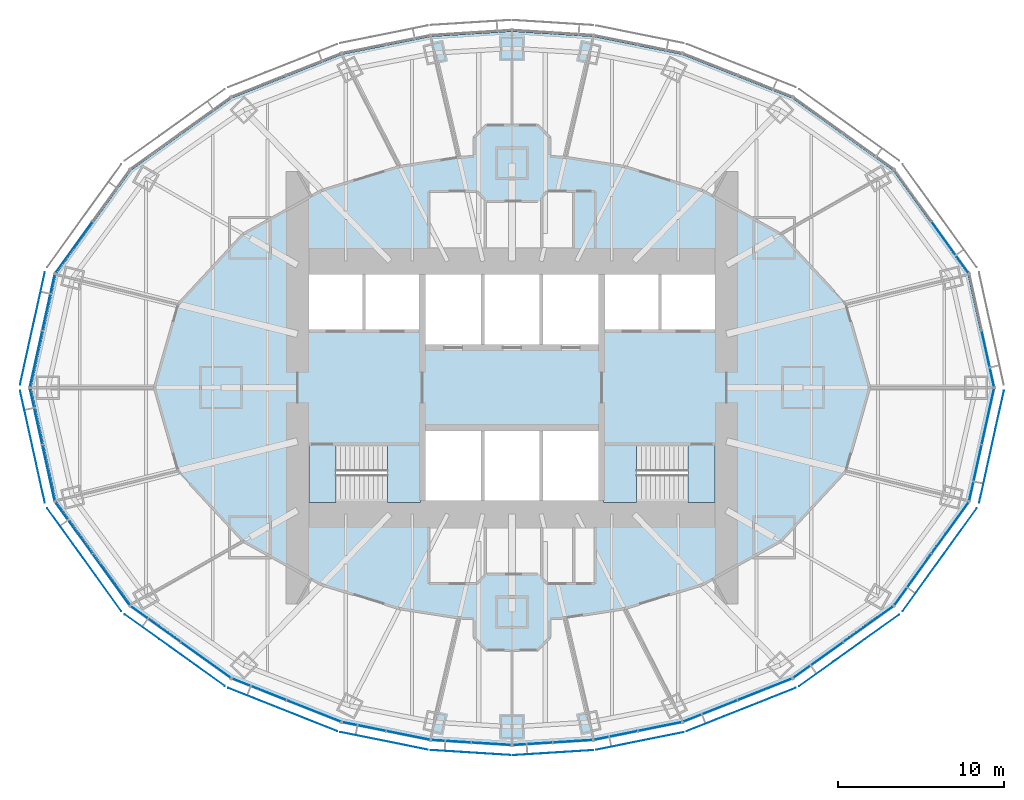
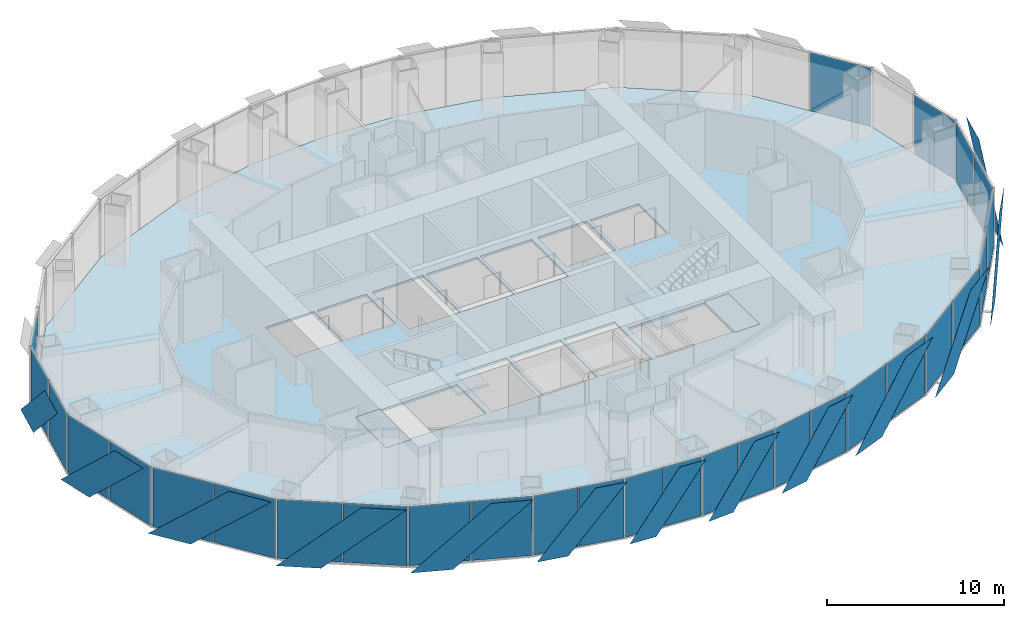
# One storey, part 9 of 17: 42 plates, 5 slabs, 18 elements without a shape of their own.
"""IFC4 building model written with IfcOpenShell, lengths in metres."""

from ifc_helpers import new_model, si_unit, direction, frame, origin, origin_2d, place, context, subcontext, project, spatial, polyline, rectangle, outline, extrude, material, layer, layer_set, type_object, element, aggregate, save


model = new_model("IFC4")

# Units and contexts
model_context = context("Model", 3, precision=1e-05, world=origin(), true_north=direction((0.0, 1.0)))
body_context = subcontext(model_context, "Body", "Model", "MODEL_VIEW")
ifc_project = project(units=[si_unit("LENGTHUNIT", "METRE"), si_unit("AREAUNIT", "SQUARE_METRE"), si_unit("VOLUMEUNIT", "CUBIC_METRE"), si_unit("PLANEANGLEUNIT", "RADIAN"), si_unit("MASSUNIT", "GRAM", prefix="KILO")], contexts=[model_context])

# Site, building, storey
site_placement = place(None, origin())
site = spatial("IfcSite", under=ifc_project, at=site_placement, CompositionType="ELEMENT")
building_placement = place(site_placement, origin())
building = spatial("IfcBuilding", under=site, at=building_placement, Name="Lantaw Convention Tower", CompositionType="ELEMENT")
storey_placement = place(building_placement, frame((0.0, 0.0, 155.199951171875)))
storey = spatial("IfcBuildingStorey", under=building, at=storey_placement, Name="L36", CompositionType="ELEMENT", Elevation=155.199951171875)

# Curtain wall, plate
ifc_material_1 = material(Name="Aluminium framed curtain wall", Category="aluminium")
curtain_wall_type = type_object("IfcCurtainWallType", Name="Office curtain wall low rise, pale aluminium", PredefinedType="USERDEFINED", material=ifc_material_1)
curtain_wall_1_placement = place(storey_placement, origin())
curtain_wall_1 = element("IfcCurtainWall", 1, at=curtain_wall_1_placement, inside=storey, type_object=curtain_wall_type, Name="Office curtain wall low rise, pale aluminium L36", ObjectType="UNITISED CURTAIN WALL", PredefinedType="USERDEFINED")
ifc_material_2 = material(Name="Clear insulating glass", Category="glass")
ifc_layer_1 = layer(ifc_material_2, 0.028076171875)
ifc_layer_set_1 = layer_set([ifc_layer_1], Name="CW-O1 panel 28")
plate_type_1 = type_object("IfcPlateType", Name="CW-O1 panel 28", PredefinedType="CURTAIN_PANEL", material=ifc_layer_set_1)
plate_1_placement = place(storey_placement, frame((28.618408203125, 1.729248046875, -0.0849609375), z_axis=(0.0, 0.0, 1.0), x_axis=(-0.215546166174, 0.9764936509, 0.0)))
plate_1 = element("IfcPlate", 2, at=plate_1_placement, type_object=plate_type_1, Name="CW-O1 panel 1.1", PredefinedType="CURTAIN_PANEL", context=body_context, shape_type="SweptSolid", body=[
    extrude(rectangle(XDim=3.41162109375, YDim=0.028076171875, at=origin_2d()), origin(), (0.0, 0.0, 1.0), 4.070068359375),
])
aggregate(curtain_wall_1, [plate_1])

curtain_wall_2_placement = place(storey_placement, origin())
curtain_wall_2 = element("IfcCurtainWall", 3, at=curtain_wall_2_placement, inside=storey, type_object=curtain_wall_type, Name="Office curtain wall low rise, pale aluminium L36", ObjectType="UNITISED CURTAIN WALL", PredefinedType="USERDEFINED")
plate_2_placement = place(storey_placement, frame((26.34814453125, 8.4345703125, -0.0849609375), z_axis=(0.0, 0.0, 1.0), x_axis=(-0.584512597221, 0.811384633629, 0.0)))
plate_2 = element("IfcPlate", 4, at=plate_2_placement, type_object=plate_type_1, Name="CW-O1 panel 1.1", PredefinedType="CURTAIN_PANEL", context=body_context, shape_type="SweptSolid", body=[
    extrude(rectangle(XDim=3.767333984375, YDim=0.028076171875, at=origin_2d()), origin(), (0.0, 0.0, 1.0), 4.070068359375),
])
aggregate(curtain_wall_2, [plate_2])

curtain_wall_3_placement = place(storey_placement, origin())
curtain_wall_3 = element("IfcCurtainWall", 5, at=curtain_wall_3_placement, inside=storey, type_object=curtain_wall_type, Name="Office curtain wall low rise, pale aluminium L36", ObjectType="UNITISED CURTAIN WALL", PredefinedType="USERDEFINED")
plate_3_placement = place(storey_placement, frame((-26.34814453125, 8.4345703125, -0.0849609375), z_axis=(0.0, 0.0, 1.0), x_axis=(-0.584512597221, -0.811384633629, 0.0)))
plate_3 = element("IfcPlate", 6, at=plate_3_placement, type_object=plate_type_1, Name="CW-O1 panel 2.1", PredefinedType="CURTAIN_PANEL", context=body_context, shape_type="SweptSolid", body=[
    extrude(rectangle(XDim=3.767333984375, YDim=0.028076171875, at=origin_2d()), origin(), (0.0, 0.0, 1.0), 4.070068359375),
])
aggregate(curtain_wall_3, [plate_3])

# Curtain wall, plates
curtain_wall_4_placement = place(storey_placement, origin())
curtain_wall_4 = element("IfcCurtainWall", 7, at=curtain_wall_4_placement, inside=storey, type_object=curtain_wall_type, Name="Office curtain wall low rise, pale aluminium L36", ObjectType="UNITISED CURTAIN WALL", PredefinedType="USERDEFINED")
plate_4_placement = place(storey_placement, frame((-27.868896484375, 5.1240234375, -0.0849609375), z_axis=(0.0, 0.0, 1.0), x_axis=(-0.215546166174, -0.9764936509, 0.0)))
plate_4 = element("IfcPlate", 8, at=plate_4_placement, type_object=plate_type_1, Name="CW-O1 panel 1.1", PredefinedType="CURTAIN_PANEL", context=body_context, shape_type="SweptSolid", body=[
    extrude(rectangle(XDim=3.41162109375, YDim=0.028076171875, at=origin_2d()), origin(), (0.0, 0.0, 1.0), 4.070068359375),
])
plate_5_placement = place(storey_placement, frame((-28.618408203125, 1.729248046875, -0.0849609375), z_axis=(0.0, 0.0, 1.0), x_axis=(-0.215546166174, -0.9764936509, 0.0)))
plate_5 = element("IfcPlate", 9, at=plate_5_placement, type_object=plate_type_1, Name="CW-O1 panel 2.1", PredefinedType="CURTAIN_PANEL", context=body_context, shape_type="SweptSolid", body=[
    extrude(rectangle(XDim=3.41162109375, YDim=0.028076171875, at=origin_2d()), origin(), (0.0, 0.0, 1.0), 4.070068359375),
])
aggregate(curtain_wall_4, [plate_4, plate_5])

curtain_wall_5_placement = place(storey_placement, origin())
curtain_wall_5 = element("IfcCurtainWall", 10, at=curtain_wall_5_placement, inside=storey, type_object=curtain_wall_type, Name="Office curtain wall low rise, pale aluminium L36", ObjectType="UNITISED CURTAIN WALL", PredefinedType="USERDEFINED")
plate_6_placement = place(storey_placement, frame((-28.618408203125, -1.729248046875, -0.0849609375), z_axis=(0.0, 0.0, 1.0), x_axis=(0.215546166174, -0.9764936509, 0.0)))
plate_6 = element("IfcPlate", 11, at=plate_6_placement, type_object=plate_type_1, Name="CW-O1 panel 1.1", PredefinedType="CURTAIN_PANEL", context=body_context, shape_type="SweptSolid", body=[
    extrude(rectangle(XDim=3.41162109375, YDim=0.028076171875, at=origin_2d()), origin(), (0.0, 0.0, 1.0), 4.070068359375),
])
plate_7_placement = place(storey_placement, frame((-27.868896484375, -5.1240234375, -0.0849609375), z_axis=(0.0, 0.0, 1.0), x_axis=(0.215546166174, -0.9764936509, 0.0)))
plate_7 = element("IfcPlate", 12, at=plate_7_placement, type_object=plate_type_1, Name="CW-O1 panel 2.1", PredefinedType="CURTAIN_PANEL", context=body_context, shape_type="SweptSolid", body=[
    extrude(rectangle(XDim=3.41162109375, YDim=0.028076171875, at=origin_2d()), origin(), (0.0, 0.0, 1.0), 4.070068359375),
])
aggregate(curtain_wall_5, [plate_6, plate_7])

curtain_wall_6_placement = place(storey_placement, origin())
curtain_wall_6 = element("IfcCurtainWall", 13, at=curtain_wall_6_placement, inside=storey, type_object=curtain_wall_type, Name="Office curtain wall low rise, pale aluminium L36", ObjectType="UNITISED CURTAIN WALL", PredefinedType="USERDEFINED")
plate_8_placement = place(storey_placement, frame((-26.34814453125, -8.4345703125, -0.0849609375), z_axis=(0.0, 0.0, 1.0), x_axis=(0.584512597221, -0.811384633629, 0.0)))
plate_8 = element("IfcPlate", 14, at=plate_8_placement, type_object=plate_type_1, Name="CW-O1 panel 1.1", PredefinedType="CURTAIN_PANEL", context=body_context, shape_type="SweptSolid", body=[
    extrude(rectangle(XDim=3.767333984375, YDim=0.028076171875, at=origin_2d()), origin(), (0.0, 0.0, 1.0), 4.070068359375),
])
plate_9_placement = place(storey_placement, frame((-24.108154296875, -11.5439453125, -0.0849609375), z_axis=(0.0, 0.0, 1.0), x_axis=(0.584512597221, -0.811384633629, 0.0)))
plate_9 = element("IfcPlate", 15, at=plate_9_placement, type_object=plate_type_1, Name="CW-O1 panel 2.1", PredefinedType="CURTAIN_PANEL", context=body_context, shape_type="SweptSolid", body=[
    extrude(rectangle(XDim=3.767333984375, YDim=0.028076171875, at=origin_2d()), origin(), (0.0, 0.0, 1.0), 4.070068359375),
])
aggregate(curtain_wall_6, [plate_8, plate_9])

curtain_wall_7_placement = place(storey_placement, origin())
curtain_wall_7 = element("IfcCurtainWall", 16, at=curtain_wall_7_placement, inside=storey, type_object=curtain_wall_type, Name="Office curtain wall low rise, pale aluminium L36", ObjectType="UNITISED CURTAIN WALL", PredefinedType="USERDEFINED")
plate_10_placement = place(storey_placement, frame((-21.43408203125, -14.2236328125, -0.0849609375), z_axis=(0.0, 0.0, 1.0), x_axis=(0.813208325995, -0.581972695693, 0.0)))
plate_10 = element("IfcPlate", 17, at=plate_10_placement, type_object=plate_type_1, Name="CW-O1 panel 1.1", PredefinedType="CURTAIN_PANEL", context=body_context, shape_type="SweptSolid", body=[
    extrude(rectangle(XDim=3.645263671875, YDim=0.028076171875, at=origin_2d()), origin(), (0.0, 0.0, 1.0), 4.070068359375),
])
plate_11_placement = place(storey_placement, frame((-18.416748046875, -16.383056640625, -0.0849609375), z_axis=(0.0, 0.0, 1.0), x_axis=(0.813208325995, -0.581972695693, 0.0)))
plate_11 = element("IfcPlate", 18, at=plate_11_placement, type_object=plate_type_1, Name="CW-O1 panel 2.1", PredefinedType="CURTAIN_PANEL", context=body_context, shape_type="SweptSolid", body=[
    extrude(rectangle(XDim=3.645263671875, YDim=0.028076171875, at=origin_2d()), origin(), (0.0, 0.0, 1.0), 4.070068359375),
])
aggregate(curtain_wall_7, [plate_10, plate_11])

curtain_wall_8_placement = place(storey_placement, origin())
curtain_wall_8 = element("IfcCurtainWall", 19, at=curtain_wall_8_placement, inside=storey, type_object=curtain_wall_type, Name="Office curtain wall low rise, pale aluminium L36", ObjectType="UNITISED CURTAIN WALL", PredefinedType="USERDEFINED")
plate_12_placement = place(storey_placement, frame((-15.208251953125, -18.145263671875, -0.0849609375), z_axis=(0.0, 0.0, 1.0), x_axis=(0.929547687544, -0.368701907483, 0.0)))
plate_12 = element("IfcPlate", 20, at=plate_12_placement, type_object=plate_type_1, Name="CW-O1 panel 1.1", PredefinedType="CURTAIN_PANEL", context=body_context, shape_type="SweptSolid", body=[
    extrude(rectangle(XDim=3.470703125, YDim=0.028076171875, at=origin_2d()), origin(), (0.0, 0.0, 1.0), 4.070068359375),
])
plate_13_placement = place(storey_placement, frame((-11.921630859375, -19.448974609375, -0.0849609375), z_axis=(0.0, 0.0, 1.0), x_axis=(0.929547687544, -0.368701907483, 0.0)))
plate_13 = element("IfcPlate", 21, at=plate_13_placement, type_object=plate_type_1, Name="CW-O1 panel 2.1", PredefinedType="CURTAIN_PANEL", context=body_context, shape_type="SweptSolid", body=[
    extrude(rectangle(XDim=3.470703125, YDim=0.028076171875, at=origin_2d()), origin(), (0.0, 0.0, 1.0), 4.070068359375),
])
aggregate(curtain_wall_8, [plate_12, plate_13])

curtain_wall_9_placement = place(storey_placement, origin())
curtain_wall_9 = element("IfcCurtainWall", 22, at=curtain_wall_9_placement, inside=storey, type_object=curtain_wall_type, Name="Office curtain wall low rise, pale aluminium L36", ObjectType="UNITISED CURTAIN WALL", PredefinedType="USERDEFINED")
plate_14_placement = place(storey_placement, frame((-8.893310546875, -20.3857421875, -0.0849609375), z_axis=(0.0, 0.0, 1.0), x_axis=(0.980301514912, -0.197506809659, 0.0)))
plate_14 = element("IfcPlate", 23, at=plate_14_placement, type_object=plate_type_1, Name="CW-O1 panel 1.1", PredefinedType="CURTAIN_PANEL", context=body_context, shape_type="SweptSolid", body=[
    extrude(rectangle(XDim=2.634033203125, YDim=0.028076171875, at=origin_2d()), origin(), (0.0, 0.0, 1.0), 4.070068359375),
])
plate_15_placement = place(storey_placement, frame((-6.247314453125, -20.9189453125, -0.0849609375), z_axis=(0.0, 0.0, 1.0), x_axis=(0.980301514912, -0.197506809659, 0.0)))
plate_15 = element("IfcPlate", 24, at=plate_15_placement, type_object=plate_type_1, Name="CW-O1 panel 2.1", PredefinedType="CURTAIN_PANEL", context=body_context, shape_type="SweptSolid", body=[
    extrude(rectangle(XDim=2.634033203125, YDim=0.028076171875, at=origin_2d()), origin(), (0.0, 0.0, 1.0), 4.070068359375),
])
aggregate(curtain_wall_9, [plate_14, plate_15])

curtain_wall_10_placement = place(storey_placement, origin())
curtain_wall_10 = element("IfcCurtainWall", 25, at=curtain_wall_10_placement, inside=storey, type_object=curtain_wall_type, Name="Office curtain wall low rise, pale aluminium L36", ObjectType="UNITISED CURTAIN WALL", PredefinedType="USERDEFINED")
plate_16_placement = place(storey_placement, frame((-3.653076171875, -21.269775390625, -0.0849609375), z_axis=(0.0, 0.0, 1.0), x_axis=(0.998022035978, -0.062865059466, 0.0)))
plate_16 = element("IfcPlate", 26, at=plate_16_placement, type_object=plate_type_1, Name="CW-O1 panel 1.1", PredefinedType="CURTAIN_PANEL", context=body_context, shape_type="SweptSolid", body=[
    extrude(rectangle(XDim=2.353515625, YDim=0.028076171875, at=origin_2d()), origin(), (0.0, 0.0, 1.0), 4.070068359375),
])
plate_17_placement = place(storey_placement, frame((-1.2392578125, -21.421875, -0.0849609375), z_axis=(0.0, 0.0, 1.0), x_axis=(0.998022035978, -0.062865059466, 0.0)))
plate_17 = element("IfcPlate", 27, at=plate_17_placement, type_object=plate_type_1, Name="CW-O1 panel 2.1", PredefinedType="CURTAIN_PANEL", context=body_context, shape_type="SweptSolid", body=[
    extrude(rectangle(XDim=2.353515625, YDim=0.028076171875, at=origin_2d()), origin(), (0.0, 0.0, 1.0), 4.070068359375),
])
aggregate(curtain_wall_10, [plate_16, plate_17])

curtain_wall_11_placement = place(storey_placement, origin())
curtain_wall_11 = element("IfcCurtainWall", 28, at=curtain_wall_11_placement, inside=storey, type_object=curtain_wall_type, Name="Office curtain wall low rise, pale aluminium L36", ObjectType="UNITISED CURTAIN WALL", PredefinedType="USERDEFINED")
plate_18_placement = place(storey_placement, frame((1.2392578125, -21.421875, -0.0849609375), z_axis=(0.0, 0.0, 1.0), x_axis=(0.998022035978, 0.062865059466, 0.0)))
plate_18 = element("IfcPlate", 29, at=plate_18_placement, type_object=plate_type_1, Name="CW-O1 panel 1.1", PredefinedType="CURTAIN_PANEL", context=body_context, shape_type="SweptSolid", body=[
    extrude(rectangle(XDim=2.353515625, YDim=0.028076171875, at=origin_2d()), origin(), (0.0, 0.0, 1.0), 4.070068359375),
])
plate_19_placement = place(storey_placement, frame((3.653076171875, -21.269775390625, -0.0849609375), z_axis=(0.0, 0.0, 1.0), x_axis=(0.998022035978, 0.062865059466, 0.0)))
plate_19 = element("IfcPlate", 30, at=plate_19_placement, type_object=plate_type_1, Name="CW-O1 panel 2.1", PredefinedType="CURTAIN_PANEL", context=body_context, shape_type="SweptSolid", body=[
    extrude(rectangle(XDim=2.353515625, YDim=0.028076171875, at=origin_2d()), origin(), (0.0, 0.0, 1.0), 4.070068359375),
])
aggregate(curtain_wall_11, [plate_18, plate_19])

curtain_wall_12_placement = place(storey_placement, origin())
curtain_wall_12 = element("IfcCurtainWall", 31, at=curtain_wall_12_placement, inside=storey, type_object=curtain_wall_type, Name="Office curtain wall low rise, pale aluminium L36", ObjectType="UNITISED CURTAIN WALL", PredefinedType="USERDEFINED")
plate_20_placement = place(storey_placement, frame((6.247314453125, -20.9189453125, -0.0849609375), z_axis=(0.0, 0.0, 1.0), x_axis=(0.980301514912, 0.197506809659, 0.0)))
plate_20 = element("IfcPlate", 32, at=plate_20_placement, type_object=plate_type_1, Name="CW-O1 panel 1.1", PredefinedType="CURTAIN_PANEL", context=body_context, shape_type="SweptSolid", body=[
    extrude(rectangle(XDim=2.634033203125, YDim=0.028076171875, at=origin_2d()), origin(), (0.0, 0.0, 1.0), 4.070068359375),
])
plate_21_placement = place(storey_placement, frame((8.893310546875, -20.3857421875, -0.0849609375), z_axis=(0.0, 0.0, 1.0), x_axis=(0.980301514912, 0.197506809659, 0.0)))
plate_21 = element("IfcPlate", 33, at=plate_21_placement, type_object=plate_type_1, Name="CW-O1 panel 2.1", PredefinedType="CURTAIN_PANEL", context=body_context, shape_type="SweptSolid", body=[
    extrude(rectangle(XDim=2.634033203125, YDim=0.028076171875, at=origin_2d()), origin(), (0.0, 0.0, 1.0), 4.070068359375),
])
aggregate(curtain_wall_12, [plate_20, plate_21])

curtain_wall_13_placement = place(storey_placement, origin())
curtain_wall_13 = element("IfcCurtainWall", 34, at=curtain_wall_13_placement, inside=storey, type_object=curtain_wall_type, Name="Office curtain wall low rise, pale aluminium L36", ObjectType="UNITISED CURTAIN WALL", PredefinedType="USERDEFINED")
plate_22_placement = place(storey_placement, frame((11.921630859375, -19.448974609375, -0.0849609375), z_axis=(0.0, 0.0, 1.0), x_axis=(0.929547687544, 0.368701907483, 0.0)))
plate_22 = element("IfcPlate", 35, at=plate_22_placement, type_object=plate_type_1, Name="CW-O1 panel 1.1", PredefinedType="CURTAIN_PANEL", context=body_context, shape_type="SweptSolid", body=[
    extrude(rectangle(XDim=3.470703125, YDim=0.028076171875, at=origin_2d()), origin(), (0.0, 0.0, 1.0), 4.070068359375),
])
plate_23_placement = place(storey_placement, frame((15.208251953125, -18.145263671875, -0.0849609375), z_axis=(0.0, 0.0, 1.0), x_axis=(0.929547687544, 0.368701907483, 0.0)))
plate_23 = element("IfcPlate", 36, at=plate_23_placement, type_object=plate_type_1, Name="CW-O1 panel 2.1", PredefinedType="CURTAIN_PANEL", context=body_context, shape_type="SweptSolid", body=[
    extrude(rectangle(XDim=3.470703125, YDim=0.028076171875, at=origin_2d()), origin(), (0.0, 0.0, 1.0), 4.070068359375),
])
aggregate(curtain_wall_13, [plate_22, plate_23])

curtain_wall_14_placement = place(storey_placement, origin())
curtain_wall_14 = element("IfcCurtainWall", 37, at=curtain_wall_14_placement, inside=storey, type_object=curtain_wall_type, Name="Office curtain wall low rise, pale aluminium L36", ObjectType="UNITISED CURTAIN WALL", PredefinedType="USERDEFINED")
plate_24_placement = place(storey_placement, frame((18.416748046875, -16.383056640625, -0.0849609375), z_axis=(0.0, 0.0, 1.0), x_axis=(0.813208325995, 0.581972695693, 0.0)))
plate_24 = element("IfcPlate", 38, at=plate_24_placement, type_object=plate_type_1, Name="CW-O1 panel 1.1", PredefinedType="CURTAIN_PANEL", context=body_context, shape_type="SweptSolid", body=[
    extrude(rectangle(XDim=3.645263671875, YDim=0.028076171875, at=origin_2d()), origin(), (0.0, 0.0, 1.0), 4.070068359375),
])
plate_25_placement = place(storey_placement, frame((21.43408203125, -14.2236328125, -0.0849609375), z_axis=(0.0, 0.0, 1.0), x_axis=(0.813208325995, 0.581972695693, 0.0)))
plate_25 = element("IfcPlate", 39, at=plate_25_placement, type_object=plate_type_1, Name="CW-O1 panel 2.1", PredefinedType="CURTAIN_PANEL", context=body_context, shape_type="SweptSolid", body=[
    extrude(rectangle(XDim=3.645263671875, YDim=0.028076171875, at=origin_2d()), origin(), (0.0, 0.0, 1.0), 4.070068359375),
])
aggregate(curtain_wall_14, [plate_24, plate_25])

curtain_wall_15_placement = place(storey_placement, origin())
curtain_wall_15 = element("IfcCurtainWall", 40, at=curtain_wall_15_placement, inside=storey, type_object=curtain_wall_type, Name="Office curtain wall low rise, pale aluminium L36", ObjectType="UNITISED CURTAIN WALL", PredefinedType="USERDEFINED")
plate_26_placement = place(storey_placement, frame((24.108154296875, -11.5439453125, -0.0849609375), z_axis=(0.0, 0.0, 1.0), x_axis=(0.584512597221, 0.811384633629, 0.0)))
plate_26 = element("IfcPlate", 41, at=plate_26_placement, type_object=plate_type_1, Name="CW-O1 panel 1.1", PredefinedType="CURTAIN_PANEL", context=body_context, shape_type="SweptSolid", body=[
    extrude(rectangle(XDim=3.767333984375, YDim=0.028076171875, at=origin_2d()), origin(), (0.0, 0.0, 1.0), 4.070068359375),
])
plate_27_placement = place(storey_placement, frame((26.34814453125, -8.4345703125, -0.0849609375), z_axis=(0.0, 0.0, 1.0), x_axis=(0.584512597221, 0.811384633629, 0.0)))
plate_27 = element("IfcPlate", 42, at=plate_27_placement, type_object=plate_type_1, Name="CW-O1 panel 2.1", PredefinedType="CURTAIN_PANEL", context=body_context, shape_type="SweptSolid", body=[
    extrude(rectangle(XDim=3.767333984375, YDim=0.028076171875, at=origin_2d()), origin(), (0.0, 0.0, 1.0), 4.070068359375),
])
aggregate(curtain_wall_15, [plate_26, plate_27])

curtain_wall_16_placement = place(storey_placement, origin())
curtain_wall_16 = element("IfcCurtainWall", 43, at=curtain_wall_16_placement, inside=storey, type_object=curtain_wall_type, Name="Office curtain wall low rise, pale aluminium L36", ObjectType="UNITISED CURTAIN WALL", PredefinedType="USERDEFINED")
plate_28_placement = place(storey_placement, frame((27.868896484375, -5.1240234375, -0.0849609375), z_axis=(0.0, 0.0, 1.0), x_axis=(0.215546166174, 0.9764936509, 0.0)))
plate_28 = element("IfcPlate", 44, at=plate_28_placement, type_object=plate_type_1, Name="CW-O1 panel 1.1", PredefinedType="CURTAIN_PANEL", context=body_context, shape_type="SweptSolid", body=[
    extrude(rectangle(XDim=3.41162109375, YDim=0.028076171875, at=origin_2d()), origin(), (0.0, 0.0, 1.0), 4.070068359375),
])
plate_29_placement = place(storey_placement, frame((28.618408203125, -1.729248046875, -0.0849609375), z_axis=(0.0, 0.0, 1.0), x_axis=(0.215546166174, 0.9764936509, 0.0)))
plate_29 = element("IfcPlate", 45, at=plate_29_placement, type_object=plate_type_1, Name="CW-O1 panel 2.1", PredefinedType="CURTAIN_PANEL", context=body_context, shape_type="SweptSolid", body=[
    extrude(rectangle(XDim=3.41162109375, YDim=0.028076171875, at=origin_2d()), origin(), (0.0, 0.0, 1.0), 4.070068359375),
])
aggregate(curtain_wall_16, [plate_28, plate_29])

# Slab
ifc_material_3 = material(Name="Concrete C35/45", Category="concrete")
ifc_layer_2 = layer(ifc_material_3, 0.14990234375)
ifc_layer_set_2 = layer_set([ifc_layer_2], Name="Floor slab 150")
slab_type_1 = type_object("IfcSlabType", Name="Floor slab 150", PredefinedType="FLOOR", material=ifc_layer_set_2)
slab_1_placement = place(storey_placement, frame((0.0, 0.0, -0.14990234375)))
element("IfcSlab", 46, at=slab_1_placement, inside=storey, type_object=slab_type_1, Name="L36 floor slab", PredefinedType="FLOOR", context=body_context, shape_type="SweptSolid", body=[
    extrude(outline(polyline([(27.417236328125, -6.822021484375), (28.923095703125, 0.0), (27.417236328125, 6.822021484375), (22.915283203125, 13.0712890625), (16.845458984375, 17.415283203125), (10.2265625, 20.04052734375), (4.8828125, 21.1171875), (0.0, 21.4248046875), (-4.8828125, 21.1171875), (-10.2265625, 20.04052734375), (-16.845458984375, 17.415283203125), (-22.915283203125, 13.0712890625), (-27.417236328125, 6.822021484375), (-28.923095703125, 0.0), (-27.417236328125, -6.822021484375), (-22.915283203125, -13.0712890625), (-16.845458984375, -17.415283203125), (-10.2265625, -20.04052734375), (-4.8828125, -21.1171875), (0.0, -21.4248046875), (4.8828125, -21.1171875), (10.2265625, -20.04052734375), (16.845458984375, -17.415283203125), (22.915283203125, -13.0712890625), (27.417236328125, -6.822021484375)]), holes=[polyline([(-5.60009765625, -3.5), (-12.199951171875, -3.5), (-12.199951171875, -6.800048828125), (-5.60009765625, -6.800048828125), (-5.60009765625, -3.5)]), polyline([(-1.86669921875, -6.800048828125), (-1.86669921875, -2.60009765625), (-5.199951171875, -2.60009765625), (-5.199951171875, -6.800048828125), (-1.86669921875, -6.800048828125)]), polyline([(-1.86669921875, 2.60009765625), (-1.86669921875, 6.800048828125), (-5.199951171875, 6.800048828125), (-5.199951171875, 2.60009765625), (-1.86669921875, 2.60009765625)]), polyline([(1.666748046875, 6.800048828125), (-1.666748046875, 6.800048828125), (-1.666748046875, 2.60009765625), (1.666748046875, 2.60009765625), (1.666748046875, 6.800048828125)]), polyline([(-9.0, 3.5), (-9.0, 6.800048828125), (-12.199951171875, 6.800048828125), (-12.199951171875, 3.5), (-9.0, 3.5)]), polyline([(-5.60009765625, 3.5), (-5.60009765625, 6.800048828125), (-8.800048828125, 6.800048828125), (-8.800048828125, 3.5), (-5.60009765625, 3.5)]), polyline([(12.199951171875, -3.5), (5.60009765625, -3.5), (5.60009765625, -6.800048828125), (12.199951171875, -6.800048828125), (12.199951171875, -3.5)]), polyline([(1.666748046875, -6.800048828125), (1.666748046875, -2.60009765625), (-1.666748046875, -2.60009765625), (-1.666748046875, -6.800048828125), (1.666748046875, -6.800048828125)]), polyline([(5.199951171875, -6.800048828125), (5.199951171875, -2.60009765625), (1.86669921875, -2.60009765625), (1.86669921875, -6.800048828125), (5.199951171875, -6.800048828125)]), polyline([(5.199951171875, 6.800048828125), (1.86669921875, 6.800048828125), (1.86669921875, 2.60009765625), (5.199951171875, 2.60009765625), (5.199951171875, 6.800048828125)]), polyline([(8.800048828125, 3.5), (8.800048828125, 6.800048828125), (5.60009765625, 6.800048828125), (5.60009765625, 3.5), (8.800048828125, 3.5)]), polyline([(12.199951171875, 3.5), (12.199951171875, 6.800048828125), (9.0, 6.800048828125), (9.0, 3.5), (12.199951171875, 3.5)])]), origin(), (0.0, 0.0, 1.0), 0.14990234375),
])

# Plates
ifc_material_4 = material(Name="Perforated aluminium sheet, pale silver finish", Category="aluminium")
ifc_layer_3 = layer(ifc_material_4, 0.006103515625)
ifc_layer_set_3 = layer_set([ifc_layer_3], Name="Perforated aluminium solar SCREEN panel")
plate_type_2 = type_object("IfcPlateType", Name="Perforated aluminium solar SCREEN panel", PredefinedType="SHEET", material=ifc_layer_set_3)
plate_30_placement = place(storey_placement, frame((-28.08984375, 6.93505859375, -0.175048828125), z_axis=(0.976497812463, -0.215527309509, 3.332717e-05), x_axis=(-0.215527309629, -0.976497813005, -1.665e-09)))
element("IfcPlate", 47, at=plate_30_placement, inside=storey, type_object=plate_type_2, Name="Solar SCREEN panel", PredefinedType="SHEET", context=body_context, shape_type="SweptSolid", body=[
    extrude(outline(polyline([(0.0, 0.0), (2.386131748388921, 0.0), (6.918240176095255, -4.340087904553372), (4.532055808734257, -4.3400878966079945), (0.0, 0.0)])), origin(), (0.0, 0.0, -1.0), 0.006103515625),
])
plate_31_placement = place(storey_placement, frame((-29.5810546875, -0.179443359375, -0.175048828125), z_axis=(-0.976497812463, -0.215527309509, 3.332717e-05), x_axis=(0.215527309629, -0.976497813005, 1.665e-09)))
element("IfcPlate", 48, at=plate_31_placement, inside=storey, type_object=plate_type_2, Name="Solar SCREEN panel", PredefinedType="SHEET", context=body_context, shape_type="SweptSolid", body=[
    extrude(outline(polyline([(0.0, 0.0), (2.3861843673609986, 3.3881317890172014e-21), (6.918240190546627, 4.340087881517419), (4.532108442157707, 4.340087889462621), (0.0, 0.0)])), origin(), (0.0, 0.0, -1.0), 0.006103515625),
])
plate_32_placement = place(storey_placement, frame((-27.94970703125, -7.248046875, -0.175048828125), z_axis=(-0.81139512159, -0.584498037099, 3.5886784e-05), x_axis=(0.584498037475, -0.811395122112, -9.74e-10)))
element("IfcPlate", 49, at=plate_32_placement, inside=storey, type_object=plate_type_2, Name="Solar SCREEN panel", PredefinedType="SHEET", context=body_context, shape_type="SweptSolid", body=[
    extrude(outline(polyline([(0.0, 0.0), (2.628222178575422, -6.776263578034403e-21), (7.629778257969264, 4.340087900852944), (5.001754173906077, 4.340087895732103), (0.0, 0.0)])), origin(), (0.0, 0.0, -1.0), 0.006103515625),
])
plate_33_placement = place(storey_placement, frame((-23.281005859375, -13.64697265625, -0.175048828125), z_axis=(-0.582000183937, -0.813188653244, 1.1537145e-05), x_axis=(0.813188653298, -0.582000183975, 0.0)))
element("IfcPlate", 50, at=plate_33_placement, inside=storey, type_object=plate_type_2, Name="Solar SCREEN panel", PredefinedType="SHEET", context=body_context, shape_type="SweptSolid", body=[
    extrude(outline(polyline([(0.0, 0.0), (2.5450183911586484, 0.0), (7.385531276904658, 4.340087890913846), (4.840512885746009, 4.340087890913846), (0.0, 0.0)])), origin(), (0.0, 0.0, -1.0), 0.006103515625),
])
plate_34_placement = place(storey_placement, frame((-17.05859375, -18.063232421875, -0.175048828125), z_axis=(0.368708915367, 0.929544907797, 1.086705e-05), x_axis=(0.929544907851, -0.368708915389, 7.1e-10)))
element("IfcPlate", 51, at=plate_34_placement, inside=storey, type_object=plate_type_2, Name="Solar SCREEN panel", PredefinedType="SHEET", context=body_context, shape_type="SweptSolid", body=[
    extrude(outline(polyline([(0.0, 0.0), (2.4263803793049097, -1.6940658945086007e-21), (7.036549629566982, -4.340087885886879), (4.61003232741235, -4.340087889331358), (0.0, 0.0)])), origin(), (0.0, 0.0, -1.0), 0.006103515625),
])
plate_35_placement = place(storey_placement, frame((-10.318603515625, -20.716796875, -0.175048828125), z_axis=(-0.197556725442, -0.980291455983, 3.9483498e-05), x_axis=(0.980291456747, -0.197556725596, 0.0)))
element("IfcPlate", 52, at=plate_35_placement, inside=storey, type_object=plate_type_2, Name="Solar SCREEN panel", PredefinedType="SHEET", context=body_context, shape_type="SweptSolid", body=[
    extrude(outline(polyline([(0.0, 0.0), (1.8574075788555457, 3.3881317890172014e-21), (5.362987026845185, 4.340087894007983), (3.505579447989639, 4.340087894007983), (0.0, 0.0)])), origin(), (0.0, 0.0, -1.0), 0.006103515625),
])
plate_36_placement = place(storey_placement, frame((-4.880615234375, -21.7998046875, -0.175048828125), z_axis=(-0.062838799866, -0.998023689713, 1.755059e-06), x_axis=(0.998023689715, -0.062838799866, -8e-12)))
element("IfcPlate", 53, at=plate_36_placement, inside=storey, type_object=plate_type_2, Name="Solar SCREEN panel", PredefinedType="SHEET", context=body_context, shape_type="SweptSolid", body=[
    extrude(outline(polyline([(0.0, 0.0), (1.6666243269452135, 2.6469779601696886e-23), (4.802214797186689, 4.340087890670476), (3.135346812114104, 4.340087890643548), (0.0, 0.0)])), origin(), (0.0, 0.0, -1.0), 0.006103515625),
])
plate_37_placement = place(storey_placement, frame((0.087890625, -22.1015625, -0.175048828125), z_axis=(-0.062838799866, 0.998023689713, 1.755059e-06), x_axis=(0.998023689715, 0.062838799866, 8e-12)))
element("IfcPlate", 54, at=plate_37_placement, inside=storey, type_object=plate_type_2, Name="Solar SCREEN panel", PredefinedType="SHEET", context=body_context, shape_type="SweptSolid", body=[
    extrude(outline(polyline([(0.0, 0.0), (1.6668679850725854, -5.293955920339377e-23), (4.802214797256801, -4.340087890592899), (3.1355904703115876, -4.340087890619822), (0.0, 0.0)])), origin(), (0.0, 0.0, -1.0), 0.006103515625),
])
plate_38_placement = place(storey_placement, frame((5.061279296875, -21.776123046875, -0.175048828125), z_axis=(-0.197556725442, 0.980291455983, 3.9483498e-05), x_axis=(0.980291456747, 0.197556725596, 0.0)))
element("IfcPlate", 55, at=plate_38_placement, inside=storey, type_object=plate_type_2, Name="Solar SCREEN panel", PredefinedType="SHEET", context=body_context, shape_type="SweptSolid", body=[
    extrude(outline(polyline([(0.0, 0.0), (1.8574075788555457, -3.3881317890172014e-21), (5.362987026845185, -4.340087894007983), (3.505579447989639, -4.340087894007983), (0.0, 0.0)])), origin(), (0.0, 0.0, -1.0), 0.006103515625),
])
plate_39_placement = place(storey_placement, frame((10.517822265625, -20.65771484375, -0.175048828125), z_axis=(0.368708915367, -0.929544907797, 1.086705e-05), x_axis=(0.929544907851, 0.368708915389, -7.1e-10)))
element("IfcPlate", 56, at=plate_39_placement, inside=storey, type_object=plate_type_2, Name="Solar SCREEN panel", PredefinedType="SHEET", context=body_context, shape_type="SweptSolid", body=[
    extrude(outline(polyline([(0.0, 0.0), (2.426517302154632, -1.6940658945086007e-21), (7.036549623406159, 4.340087895875372), (4.610169244101249, 4.340087892431086), (0.0, 0.0)])), origin(), (0.0, 0.0, -1.0), 0.006103515625),
])
plate_40_placement = place(storey_placement, frame((17.275146484375, -17.9453125, -0.175048828125), z_axis=(-0.582000183937, 0.813188653244, 1.1537145e-05), x_axis=(0.813188653298, 0.582000183975, 0.0)))
element("IfcPlate", 57, at=plate_40_placement, inside=storey, type_object=plate_type_2, Name="Solar SCREEN panel", PredefinedType="SHEET", context=body_context, shape_type="SweptSolid", body=[
    extrude(outline(polyline([(0.0, 0.0), (2.5450183911586484, 0.0), (7.385531276904658, -4.340087890913846), (4.840512885746009, -4.340087890913846), (0.0, 0.0)])), origin(), (0.0, 0.0, -1.0), 0.006103515625),
])
plate_41_placement = place(storey_placement, frame((23.489990234375, -13.438720703125, -0.175048828125), z_axis=(-0.81139512159, 0.584498037099, 3.5886784e-05), x_axis=(0.584498037475, 0.811395122112, 9.74e-10)))
element("IfcPlate", 58, at=plate_41_placement, inside=storey, type_object=plate_type_2, Name="Solar SCREEN panel", PredefinedType="SHEET", context=body_context, shape_type="SweptSolid", body=[
    extrude(outline(polyline([(0.0, 0.0), (2.6280240840631874, -6.776263578034403e-21), (7.6297782664261495, -4.340087885985926), (5.0015560878507275, -4.340087891107152), (0.0, 0.0)])), origin(), (0.0, 0.0, -1.0), 0.006103515625),
])
plate_42_placement = place(storey_placement, frame((28.08984375, -6.93505859375, -0.175048828125), z_axis=(-0.976497812463, 0.215527309509, 3.332717e-05), x_axis=(0.215527309629, 0.976497813005, -1.665e-09)))
element("IfcPlate", 59, at=plate_42_placement, inside=storey, type_object=plate_type_2, Name="Solar SCREEN panel", PredefinedType="SHEET", context=body_context, shape_type="SweptSolid", body=[
    extrude(outline(polyline([(0.0, 0.0), (2.386131748388921, 0.0), (6.918240176095255, -4.340087904553372), (4.532055808734257, -4.3400878966079945), (0.0, 0.0)])), origin(), (0.0, 0.0, -1.0), 0.006103515625),
])

# Stair, slabs
stair_type = type_object("IfcStairType", Name="Exit stair 1500 riser 175 in 2 flights", PredefinedType="HALF_TURN_STAIR", material=ifc_material_3)
stair_1_placement = place(storey_placement, origin())
stair_1 = element("IfcStair", 60, at=stair_1_placement, inside=storey, type_object=stair_type, Name="Exit stair S1 L36", PredefinedType="HALF_TURN_STAIR")
ifc_layer_4 = layer(ifc_material_3, 0.199951171875)
ifc_layer_set_4 = layer_set([ifc_layer_4], Name="Stair landing 200")
slab_type_2 = type_object("IfcSlabType", Name="Stair landing 200", PredefinedType="LANDING", material=ifc_layer_set_4)
slab_2_placement = place(storey_placement, frame((0.0, 0.0, -0.199951171875)))
slab_2 = element("IfcSlab", 61, at=slab_2_placement, type_object=slab_type_2, Name="S1 landing 1", PredefinedType="LANDING", context=body_context, shape_type="SweptSolid", body=[
    extrude(outline(polyline([(-12.199951171875, -6.89990234375), (-10.580078125, -6.89990234375), (-10.580078125, -3.39990234375), (-12.199951171875, -3.39990234375), (-12.199951171875, -6.89990234375)])), origin(), (0.0, 0.0, 1.0), 0.199951171875),
])
slab_3_placement = place(storey_placement, frame((0.0, 0.0, 1.900146484375)))
slab_3 = element("IfcSlab", 62, at=slab_3_placement, type_object=slab_type_2, Name="S1 landing 2", PredefinedType="LANDING", context=body_context, shape_type="SweptSolid", body=[
    extrude(outline(polyline([(-7.5, -6.89990234375), (-5.5, -6.89990234375), (-5.5, -3.39990234375), (-7.5, -3.39990234375), (-7.5, -6.89990234375)])), origin(), (0.0, 0.0, 1.0), 0.199951171875),
])
aggregate(stair_1, [slab_2, slab_3])

stair_2_placement = place(storey_placement, origin())
stair_2 = element("IfcStair", 63, at=stair_2_placement, inside=storey, type_object=stair_type, Name="Exit stair S2 L36", PredefinedType="HALF_TURN_STAIR")
slab_4_placement = place(storey_placement, frame((0.0, 0.0, -0.199951171875)))
slab_4 = element("IfcSlab", 64, at=slab_4_placement, type_object=slab_type_2, Name="S2 landing 1", PredefinedType="LANDING", context=body_context, shape_type="SweptSolid", body=[
    extrude(outline(polyline([(10.580078125, -6.89990234375), (12.199951171875, -6.89990234375), (12.199951171875, -3.39990234375), (10.580078125, -3.39990234375), (10.580078125, -6.89990234375)])), origin(), (0.0, 0.0, 1.0), 0.199951171875),
])
slab_5_placement = place(storey_placement, frame((0.0, 0.0, 1.900146484375)))
slab_5 = element("IfcSlab", 65, at=slab_5_placement, type_object=slab_type_2, Name="S2 landing 2", PredefinedType="LANDING", context=body_context, shape_type="SweptSolid", body=[
    extrude(outline(polyline([(5.5, -6.89990234375), (7.5, -6.89990234375), (7.5, -3.39990234375), (5.5, -3.39990234375), (5.5, -6.89990234375)])), origin(), (0.0, 0.0, 1.0), 0.199951171875),
])
aggregate(stair_2, [slab_4, slab_5])

save(model, "model.ifc")
